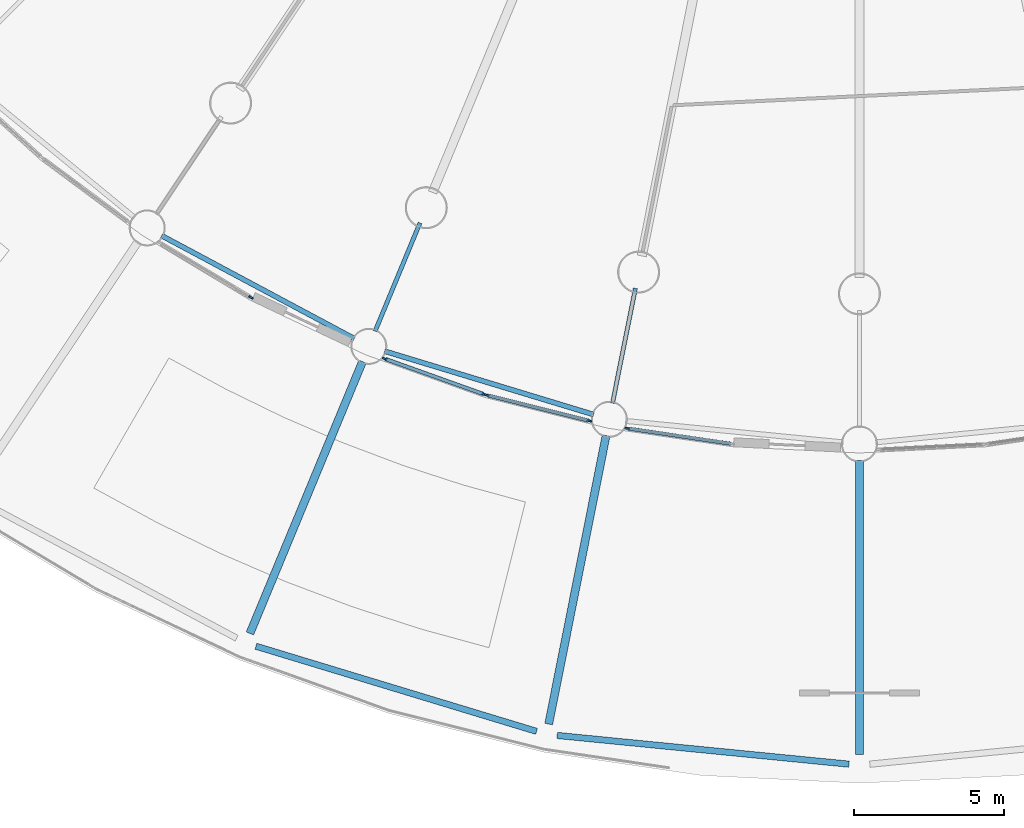
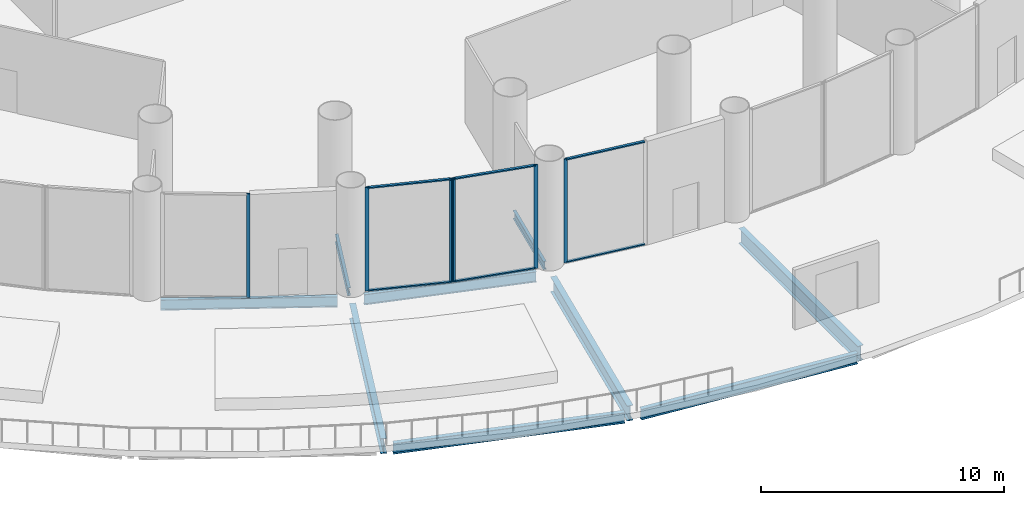
# One storey, part 3 of 36: 12 members, 9 beams, 4 elements without a shape of their own.
"""IFC4 building model written with IfcOpenShell, lengths in metres."""

from ifc_helpers import new_model, si_unit, direction, frame, origin, origin_2d, place, context, subcontext, project, spatial, rectangle, i_section, extrude, material, material_profile, profile_set, type_object, element, aggregate, save


model = new_model("IFC4")

# Units and contexts
model_context = context("Model", 3, precision=1e-05, world=origin(), true_north=direction((0.0, 1.0)))
body_context = subcontext(model_context, "Body", "Model", "MODEL_VIEW")
ifc_project = project(units=[si_unit("LENGTHUNIT", "METRE"), si_unit("AREAUNIT", "SQUARE_METRE"), si_unit("VOLUMEUNIT", "CUBIC_METRE"), si_unit("PLANEANGLEUNIT", "RADIAN"), si_unit("MASSUNIT", "GRAM", prefix="KILO")], contexts=[model_context])

# Site, building, storey
site_placement = place(None, origin())
site = spatial("IfcSite", under=ifc_project, at=site_placement, CompositionType="ELEMENT")
building_placement = place(site_placement, origin())
building = spatial("IfcBuilding", under=site, at=building_placement, Name="Corvane Civic Tower", CompositionType="ELEMENT")
storey_placement = place(building_placement, frame((0.0, 0.0, 6.0)))
storey = spatial("IfcBuildingStorey", under=building, at=storey_placement, Name="L01", CompositionType="ELEMENT", Elevation=6.0)

# Beams
ifc_material_1 = material(Name="Steel ASTM A992 Gr 50", Category="steel")
ifc_material_profile_1 = material_profile(ifc_material_1, i_section(OverallWidth=0.2666015625, OverallDepth=0.7568359375, WebThickness=0.013916015625, FlangeThickness=0.019287109375, at=origin_2d()), Name="W30X108")
ifc_profile_set_1 = profile_set([ifc_material_profile_1], Name="Steel ASTM A992 Gr 50")
beam_type_1 = type_object("IfcBeamType", Name="DECK BEAM W30X108", PredefinedType="BEAM", material=ifc_profile_set_1)
for number, where, z_axis, x_axis, name in (
    (1, (0.0, -43.25, -0.678466796875), (0.0, -1.0, 0.0), (1.0, 0.0, 0.0), "BM-L01-D17"),
    (2, (-8.437744140625, -42.4189453125, -0.678466796875), (-0.195086010826, -0.980786137942, 0.0), (0.980786137942, -0.195086010826, 0.0), "BM-L01-D18"),
):
    element("IfcBeam", number, at=place(storey_placement, frame(where, z_axis=z_axis, x_axis=x_axis)), inside=storey, type_object=beam_type_1, Name=name, PredefinedType="BEAM", context=body_context, shape_type="SweptSolid", body=[
        extrude(i_section(OverallWidth=0.2666015625, OverallDepth=0.7568359375, WebThickness=0.013916015625, FlangeThickness=0.019287109375, at=origin_2d()), origin(), (0.0, 0.0, 1.0), 9.800048828125),
    ])
beam_1_placement = place(storey_placement, frame((-16.551025390625, -39.957763671875, -0.678466796875), z_axis=(-0.382681094144, -0.923880501031, 0.0), x_axis=(0.923880501031, -0.382681094144, 0.0)))
element("IfcBeam", 3, at=beam_1_placement, inside=storey, type_object=beam_type_1, Name="BM-L01-D19", PredefinedType="BEAM", context=body_context, shape_type="SweptSolid", body=[
    extrude(i_section(OverallWidth=0.2666015625, OverallDepth=0.7568359375, WebThickness=0.013916015625, FlangeThickness=0.019287109375, at=origin_2d()), origin(), (0.0, 0.0, 1.0), 9.7998046875),
])
ifc_material_2 = material(Name="Steel ASTM A992 Gr 50", Category="steel")
ifc_material_profile_2 = material_profile(ifc_material_2, i_section(OverallWidth=0.165771484375, OverallDepth=0.5283203125, WebThickness=0.009765625, FlangeThickness=0.013671875, at=origin_2d()), Name="W21X50")
ifc_profile_set_2 = profile_set([ifc_material_profile_2], Name="Steel ASTM A992 Gr 50")
beam_type_2 = type_object("IfcBeamType", Name="EDGE BEAM W21X50", PredefinedType="BEAM", material=ifc_profile_set_2)
beam_2_placement = place(storey_placement, frame((-8.856689453125, -41.719970703125, -0.564208984375), z_axis=(-0.956938225664, 0.290291633127, 0.0), x_axis=(-0.290291633127, -0.956938225664, 0.0)))
element("IfcBeam", 4, at=beam_2_placement, inside=storey, type_object=beam_type_2, Name="BM-L01-E18", PredefinedType="BEAM", context=body_context, shape_type="SweptSolid", body=[
    extrude(i_section(OverallWidth=0.165771484375, OverallDepth=0.5283203125, WebThickness=0.009765625, FlangeThickness=0.013671875, at=origin_2d()), origin(), (0.0, 0.0, 1.0), 7.2705078125),
])
beam_3_placement = place(storey_placement, frame((-16.82568359375, -39.1904296875, -0.564208984375), z_axis=(-0.881912894916, 0.471412394598, 0.0), x_axis=(-0.471412394598, -0.881912894916, 0.0)))
element("IfcBeam", 5, at=beam_3_placement, inside=storey, type_object=beam_type_2, Name="BM-L01-E19", PredefinedType="BEAM", context=body_context, shape_type="SweptSolid", body=[
    extrude(i_section(OverallWidth=0.165771484375, OverallDepth=0.5283203125, WebThickness=0.009765625, FlangeThickness=0.013671875, at=origin_2d()), origin(), (0.0, 0.0, 1.0), 7.270751953125),
])
ifc_material_3 = material(Name="Steel ASTM A992 Gr 50", Category="steel")
ifc_material_profile_3 = material_profile(ifc_material_3, i_section(OverallWidth=0.209228515625, OverallDepth=0.533447265625, WebThickness=0.01025390625, FlangeThickness=0.015625, at=origin_2d()), Name="W21X62")
ifc_profile_set_3 = profile_set([ifc_material_profile_3], Name="Steel ASTM A992 Gr 50")
beam_type_3 = type_object("IfcBeamType", Name="EDGE BEAM W21X62", PredefinedType="BEAM", material=ifc_profile_set_3)
beam_4_placement = place(storey_placement, frame((-0.348388671875, -53.365478515625, -0.566650390625), z_axis=(-0.995186267899, 0.098001490731, 0.0), x_axis=(-0.098001490731, -0.995186267899, 0.0)))
element("IfcBeam", 6, at=beam_4_placement, inside=storey, type_object=beam_type_3, Name="BM-L01-H17", PredefinedType="BEAM", context=body_context, shape_type="SweptSolid", body=[
    extrude(i_section(OverallWidth=0.209228515625, OverallDepth=0.533447265625, WebThickness=0.01025390625, FlangeThickness=0.015625, at=origin_2d()), origin(), (0.0, 0.0, 1.0), 9.76806640625),
])
beam_5_placement = place(storey_placement, frame((-10.752685546875, -52.2724609375, -0.566650390625), z_axis=(-0.956937126901, 0.290295255144, 0.0), x_axis=(-0.290295255144, -0.956937126901, 0.0)))
element("IfcBeam", 7, at=beam_5_placement, inside=storey, type_object=beam_type_3, Name="BM-L01-H18", PredefinedType="BEAM", context=body_context, shape_type="SweptSolid", body=[
    extrude(i_section(OverallWidth=0.209228515625, OverallDepth=0.533447265625, WebThickness=0.01025390625, FlangeThickness=0.015625, at=origin_2d()), origin(), (0.0, 0.0, 1.0), 9.768310546875),
])
ifc_material_4 = material(Name="Steel ASTM A992 Gr 50", Category="steel")
ifc_material_profile_4 = material_profile(ifc_material_4, i_section(OverallWidth=0.140380859375, OverallDepth=0.40380859375, WebThickness=0.007080078125, FlangeThickness=0.01123046875, at=origin_2d()), Name="W16X31")
ifc_profile_set_4 = profile_set([ifc_material_profile_4], Name="Steel ASTM A992 Gr 50")
beam_type_4 = type_object("IfcBeamType", Name="FLOOR GIRDER W16X31", PredefinedType="BEAM", material=ifc_profile_set_4)
for number, where, z_axis, x_axis, name in (
    (8, (-7.462158203125, -37.51513671875, -0.501953125), (-0.195128858343, -0.980777614264, 0.0), (0.980777614264, -0.195128858343, 0.0), "BM-L01-G18b"),
    (9, (-14.6376953125, -35.33837890625, -0.501953125), (-0.382685369162, -0.923878730261, 0.0), (0.923878730261, -0.382685369162, 0.0), "BM-L01-G19b"),
):
    element("IfcBeam", number, at=place(storey_placement, frame(where, z_axis=z_axis, x_axis=x_axis)), inside=storey, type_object=beam_type_4, Name=name, PredefinedType="BEAM", context=body_context, shape_type="SweptSolid", body=[
        extrude(i_section(OverallWidth=0.140380859375, OverallDepth=0.40380859375, WebThickness=0.007080078125, FlangeThickness=0.01123046875, at=origin_2d()), origin(), (0.0, 0.0, 1.0), 3.89990234375),
    ])

# Curtain wall, member
ifc_material_5 = material(Name="Aluminium and glass", Category="aluminium")
curtain_wall_type = type_object("IfcCurtainWallType", Name="PODIUM-CW-P-RUN", PredefinedType="NOTDEFINED", material=ifc_material_5)
curtain_wall_1_placement = place(storey_placement, origin())
curtain_wall_1 = element("IfcCurtainWall", 10, at=curtain_wall_1_placement, inside=storey, type_object=curtain_wall_type, Name="PODI run L01-drum-17B", PredefinedType="NOTDEFINED")
ifc_material_6 = material(Name="Anodised aluminium bronze", Category="aluminium")
ifc_material_profile_5 = material_profile(ifc_material_6, rectangle(XDim=0.06005859375, YDim=0.159912109375, at=origin_2d()), Name="AL 60x160")
ifc_profile_set_5 = profile_set([ifc_material_profile_5], Name="Anodised aluminium bronze")
member_type_1 = type_object("IfcMemberType", Name="PODIUM-CWP-MULLION-60x160", PredefinedType="MULLION", material=ifc_profile_set_5)
member_1_placement = place(storey_placement, frame((-7.732666015625, -42.18017578125, 0.0), z_axis=(0.0, 0.0, 1.0), x_axis=(-0.146714694252, -0.989178850608, 0.0)))
member_1 = element("IfcMember", 11, at=member_1_placement, type_object=member_type_1, Name="CW-P mullion 2", PredefinedType="MULLION", context=body_context, shape_type="SweptSolid", body=[
    extrude(rectangle(XDim=0.06005859375, YDim=0.159912109375, at=origin_2d()), origin(), (0.0, 0.0, 1.0), 5.199951171875),
])

# Curtain wall, members
curtain_wall_2_placement = place(storey_placement, origin())
curtain_wall_2 = element("IfcCurtainWall", 12, at=curtain_wall_2_placement, inside=storey, type_object=curtain_wall_type, Name="PODI run L01-drum-18A", PredefinedType="NOTDEFINED")
member_2_placement = place(storey_placement, frame((-8.99755859375, -41.9287109375, 0.0), z_axis=(0.0, 0.0, 1.0), x_axis=(-0.243008852393, -0.970024070659, 0.0)))
member_2 = element("IfcMember", 13, at=member_2_placement, type_object=member_type_1, Name="CW-P mullion 1", PredefinedType="MULLION", context=body_context, shape_type="SweptSolid", body=[
    extrude(rectangle(XDim=0.06005859375, YDim=0.159912109375, at=origin_2d()), origin(), (0.0, 0.0, 1.0), 5.199951171875),
])
member_3_placement = place(storey_placement, frame((-12.411865234375, -41.0732421875, 0.0), z_axis=(0.0, 0.0, 1.0), x_axis=(-0.243008852393, -0.970024070659, 0.0)))
member_3 = element("IfcMember", 14, at=member_3_placement, type_object=member_type_1, Name="CW-P mullion 2", PredefinedType="MULLION", context=body_context, shape_type="SweptSolid", body=[
    extrude(rectangle(XDim=0.06005859375, YDim=0.159912109375, at=origin_2d()), origin(), (0.0, 0.0, 1.0), 5.199951171875),
])

curtain_wall_3_placement = place(storey_placement, origin())
curtain_wall_3 = element("IfcCurtainWall", 15, at=curtain_wall_3_placement, inside=storey, type_object=curtain_wall_type, Name="PODI run L01-drum-18B", PredefinedType="NOTDEFINED")
member_4_placement = place(storey_placement, frame((-12.4990234375, -41.046875, 0.0), z_axis=(0.0, 0.0, 1.0), x_axis=(-0.336918534123, -0.941533802561, 0.0)))
member_4 = element("IfcMember", 16, at=member_4_placement, type_object=member_type_1, Name="CW-P mullion 1", PredefinedType="MULLION", context=body_context, shape_type="SweptSolid", body=[
    extrude(rectangle(XDim=0.06005859375, YDim=0.159912109375, at=origin_2d()), origin(), (0.0, 0.0, 1.0), 5.199951171875),
])
member_5_placement = place(storey_placement, frame((-15.81298828125, -39.861083984375, 0.0), z_axis=(0.0, 0.0, 1.0), x_axis=(-0.336918534123, -0.941533802561, 0.0)))
member_5 = element("IfcMember", 17, at=member_5_placement, type_object=member_type_1, Name="CW-P mullion 2", PredefinedType="MULLION", context=body_context, shape_type="SweptSolid", body=[
    extrude(rectangle(XDim=0.06005859375, YDim=0.159912109375, at=origin_2d()), origin(), (0.0, 0.0, 1.0), 5.199951171875),
])

# Curtain wall, member
curtain_wall_4_placement = place(storey_placement, origin())
curtain_wall_4 = element("IfcCurtainWall", 18, at=curtain_wall_4_placement, inside=storey, type_object=curtain_wall_type, Name="PODI run L01-drum-19B", PredefinedType="NOTDEFINED")
member_6_placement = place(storey_placement, frame((-20.2666015625, -37.819580078125, 0.0), z_axis=(0.0, 0.0, 1.0), x_axis=(-0.514117759857, -0.857719609779, 0.0)))
member_6 = element("IfcMember", 19, at=member_6_placement, type_object=member_type_1, Name="CW-P mullion 1", PredefinedType="MULLION", context=body_context, shape_type="SweptSolid", body=[
    extrude(rectangle(XDim=0.06005859375, YDim=0.159912109375, at=origin_2d()), origin(), (0.0, 0.0, 1.0), 5.199951171875),
])
aggregate(curtain_wall_4, [member_6])

# Member
ifc_material_7 = material(Name="Anodised aluminium bronze", Category="aluminium")
ifc_material_profile_6 = material_profile(ifc_material_7, rectangle(XDim=0.1201171875, YDim=0.06005859375, at=origin_2d()), Name="AL 120x60")
ifc_profile_set_6 = profile_set([ifc_material_profile_6], Name="Anodised aluminium bronze")
member_type_2 = type_object("IfcMemberType", Name="PODIUM-CWP-TRANSOM-60x120", PredefinedType="USERDEFINED", material=ifc_profile_set_6)
member_7_placement = place(storey_placement, frame((-4.28076171875, -42.692138671875, 0.030029296875), z_axis=(-0.989180338828, 0.146704660039, 0.0), x_axis=(-0.146704660039, -0.989180338828, 0.0)))
member_7 = element("IfcMember", 20, at=member_7_placement, type_object=member_type_2, Name="CW-P transom 1.1", ObjectType="TRANSOM", PredefinedType="USERDEFINED", context=body_context, shape_type="SweptSolid", body=[
    extrude(rectangle(XDim=0.1201171875, YDim=0.06005859375, at=origin_2d()), origin(), (0.0, 0.0, 1.0), 3.459716796875),
])

member_8_placement = place(storey_placement, frame((-4.28076171875, -42.692138671875, 5.169921875), z_axis=(-0.989180338828, 0.146704660039, 0.0), x_axis=(-0.146704660039, -0.989180338828, 0.0)))
member_8 = element("IfcMember", 21, at=member_8_placement, type_object=member_type_2, Name="CW-P transom 1.2", ObjectType="TRANSOM", PredefinedType="USERDEFINED", context=body_context, shape_type="SweptSolid", body=[
    extrude(rectangle(XDim=0.1201171875, YDim=0.06005859375, at=origin_2d()), origin(), (0.0, 0.0, 1.0), 3.459716796875),
])

aggregate(curtain_wall_1, [member_1, member_7, member_8])

member_9_placement = place(storey_placement, frame((-9.026611328125, -41.92138671875, 0.030029296875), z_axis=(-0.970022009425, 0.243017080124, 0.0), x_axis=(-0.243017080124, -0.970022009425, 0.0)))
member_9 = element("IfcMember", 22, at=member_9_placement, type_object=member_type_2, Name="CW-P transom 1.1", ObjectType="TRANSOM", PredefinedType="USERDEFINED", context=body_context, shape_type="SweptSolid", body=[
    extrude(rectangle(XDim=0.1201171875, YDim=0.06005859375, at=origin_2d()), origin(), (0.0, 0.0, 1.0), 3.4599609375),
])

member_10_placement = place(storey_placement, frame((-9.026611328125, -41.92138671875, 5.169921875), z_axis=(-0.970022009425, 0.243017080124, 0.0), x_axis=(-0.243017080124, -0.970022009425, 0.0)))
member_10 = element("IfcMember", 23, at=member_10_placement, type_object=member_type_2, Name="CW-P transom 1.2", ObjectType="TRANSOM", PredefinedType="USERDEFINED", context=body_context, shape_type="SweptSolid", body=[
    extrude(rectangle(XDim=0.1201171875, YDim=0.06005859375, at=origin_2d()), origin(), (0.0, 0.0, 1.0), 3.4599609375),
])

aggregate(curtain_wall_2, [member_2, member_3, member_9, member_10])

member_11_placement = place(storey_placement, frame((-12.527099609375, -41.036865234375, 0.030029296875), z_axis=(-0.941526196838, 0.336939787896, 0.0), x_axis=(-0.336939787896, -0.941526196838, 0.0)))
member_11 = element("IfcMember", 24, at=member_11_placement, type_object=member_type_2, Name="CW-P transom 1.1", ObjectType="TRANSOM", PredefinedType="USERDEFINED", context=body_context, shape_type="SweptSolid", body=[
    extrude(rectangle(XDim=0.1201171875, YDim=0.06005859375, at=origin_2d()), origin(), (0.0, 0.0, 1.0), 3.4599609375),
])

member_12_placement = place(storey_placement, frame((-12.527099609375, -41.036865234375, 5.169921875), z_axis=(-0.941526196838, 0.336939787896, 0.0), x_axis=(-0.336939787896, -0.941526196838, 0.0)))
member_12 = element("IfcMember", 25, at=member_12_placement, type_object=member_type_2, Name="CW-P transom 1.2", ObjectType="TRANSOM", PredefinedType="USERDEFINED", context=body_context, shape_type="SweptSolid", body=[
    extrude(rectangle(XDim=0.1201171875, YDim=0.06005859375, at=origin_2d()), origin(), (0.0, 0.0, 1.0), 3.4599609375),
])

aggregate(curtain_wall_3, [member_4, member_5, member_11, member_12])

save(model, "model.ifc")
